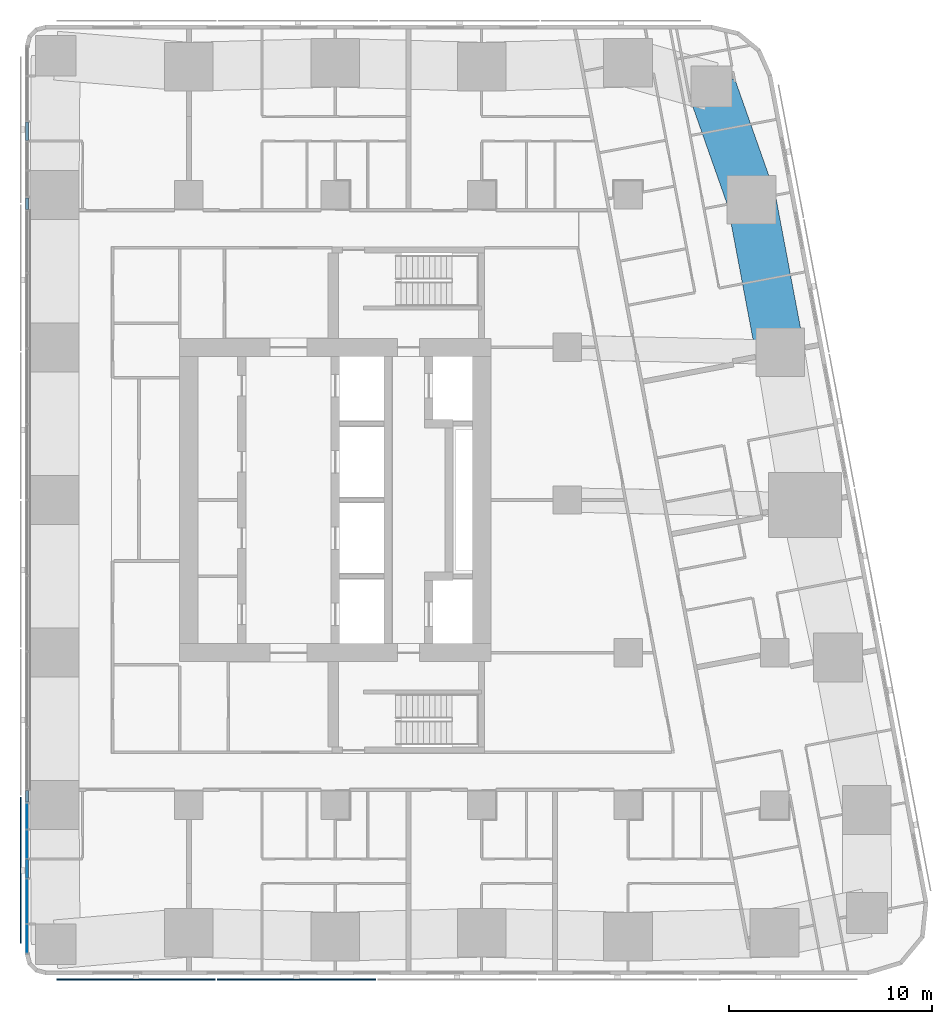
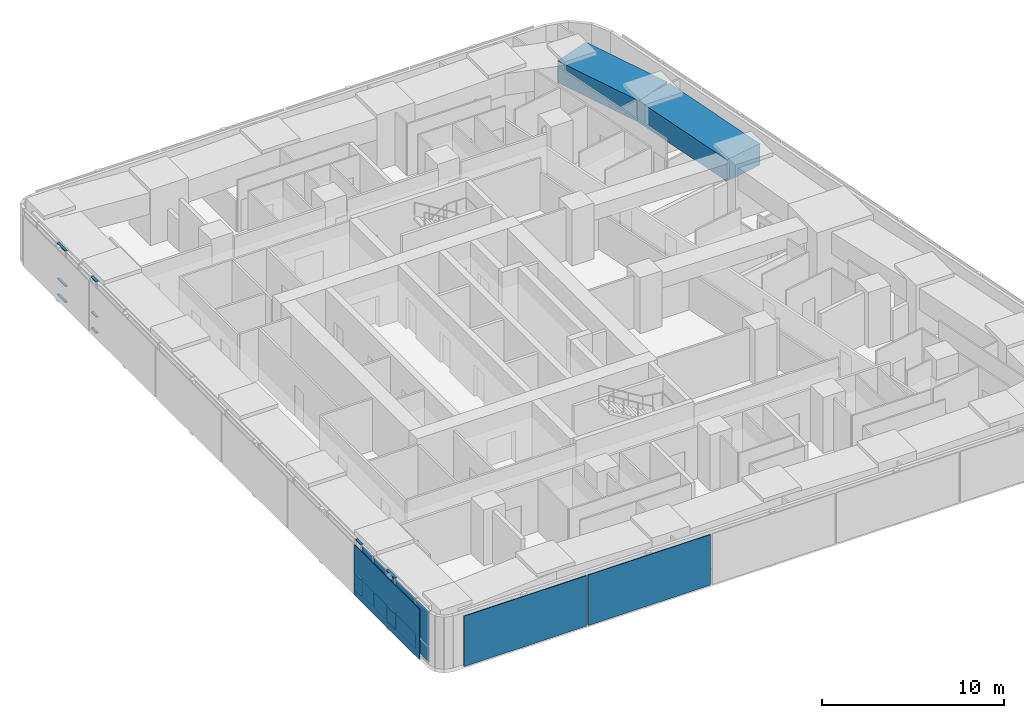
# One storey, part 6 of 19: 13 plates, 12 members, 2 beams, 1 element without a shape of its own.
"""IFC4 building model written with IfcOpenShell, lengths in metres."""

from ifc_helpers import new_model, si_unit, direction, frame, origin, origin_2d, place, context, subcontext, project, spatial, rectangle, extrude, material, layer, layer_set, material_profile, profile_set, type_object, element, aggregate, save


model = new_model("IFC4")

# Units and contexts
model_context = context("Model", 3, precision=1e-05, world=origin(), true_north=direction((0.0, 1.0)))
body_context = subcontext(model_context, "Body", "Model", "MODEL_VIEW")
ifc_project = project(units=[si_unit("LENGTHUNIT", "METRE"), si_unit("AREAUNIT", "SQUARE_METRE"), si_unit("VOLUMEUNIT", "CUBIC_METRE"), si_unit("PLANEANGLEUNIT", "RADIAN"), si_unit("MASSUNIT", "GRAM", prefix="KILO")], contexts=[model_context])

# Site, building, storey
site_placement = place(None, origin())
site = spatial("IfcSite", under=ifc_project, at=site_placement, CompositionType="ELEMENT")
building_placement = place(site_placement, origin())
building = spatial("IfcBuilding", under=site, at=building_placement, Name="Sheger Commons Tower", CompositionType="ELEMENT")
storey_placement = place(building_placement, frame((0.0, 0.0, 216.199951171875)))
storey = spatial("IfcBuildingStorey", under=building, at=storey_placement, Name="L55", CompositionType="ELEMENT", Elevation=216.199951171875)

# Beams
ifc_material_1 = material(Name="Concrete C50/60", Category="concrete")
ifc_material_profile_1 = material_profile(ifc_material_1, rectangle(XDim=2.39990234375, YDim=1.449951171875, at=origin_2d()), Name="RC 2400x1450")
ifc_profile_set_1 = profile_set([ifc_material_profile_1], Name="Concrete C50/60")
beam_type = type_object("IfcBeamType", Name="SPANDREL RC 2400x1450", PredefinedType="SPANDREL", material=ifc_profile_set_1)
beam_1_placement = place(storey_placement, frame((43.47998046875, 29.762939453125, 2.775146484375), z_axis=(-0.18552441405, 0.982639655108, 0.0), x_axis=(-0.982639655108, -0.18552441405, 0.0)))
element("IfcBeam", 1, at=beam_1_placement, inside=storey, type_object=beam_type, Name="Beam E/E-E/F under L56", PredefinedType="SPANDREL", context=body_context, shape_type="SweptSolid", body=[
    extrude(rectangle(XDim=2.39990234375, YDim=1.449951171875, at=origin_2d()), origin(), (0.0, 0.0, 1.0), 7.632568359375),
])
beam_2_placement = place(storey_placement, frame((42.06396484375, 37.262939453125, 2.775146484375), z_axis=(-0.332374403357, 0.943147526102, 0.0), x_axis=(-0.943147526102, -0.332374403357, 0.0)))
element("IfcBeam", 2, at=beam_2_placement, inside=storey, type_object=beam_type, Name="Beam E/F-41.490,44.505 under L56", PredefinedType="SPANDREL", context=body_context, shape_type="SweptSolid", body=[
    extrude(rectangle(XDim=2.39990234375, YDim=1.449951171875, at=origin_2d()), origin(), (0.0, 0.0, 1.0), 5.90283203125),
])

# Curtain wall, members, plates
ifc_material_2 = material(Name="Black aluminium curtain wall, dark tinted glazing", Category="aluminium")
curtain_wall_type = type_object("IfcCurtainWallType", Name="CURTAIN WALL CW4 GALLERY", PredefinedType="USERDEFINED", material=ifc_material_2)
curtain_wall_placement = place(storey_placement, origin())
curtain_wall = element("IfcCurtainWall", 3, at=curtain_wall_placement, inside=storey, type_object=curtain_wall_type, Name="Curtain Wall Cw4 Gallery W1 L55", ObjectType="UNITISED CURTAIN WALL", PredefinedType="USERDEFINED")
ifc_material_3 = material(Name="Black anodised aluminium", Category="aluminium")
ifc_material_profile_2 = material_profile(ifc_material_3, rectangle(XDim=0.14990234375, YDim=0.06494140625, at=origin_2d()), Name="AL 65x150")
ifc_profile_set_2 = profile_set([ifc_material_profile_2], Name="Black anodised aluminium")
member_type = type_object("IfcMemberType", Name="TRANSOM AL 65x150", PredefinedType="USERDEFINED", material=ifc_profile_set_2)
member_1_placement = place(storey_placement, frame((6.449951171875, 41.08154296875, 0.032470703125), z_axis=(0.0, -1.0, 0.0), x_axis=(1.0, 0.0, 0.0)))
member_1 = element("IfcMember", 4, at=member_1_placement, type_object=member_type, Name="CW4 transom 3.1", ObjectType="TRANSOM", PredefinedType="USERDEFINED", context=body_context, shape_type="SweptSolid", body=[
    extrude(rectangle(XDim=0.14990234375, YDim=0.06494140625, at=origin_2d()), origin(), (0.0, 0.0, 1.0), 0.89892578125),
])
member_2_placement = place(storey_placement, frame((6.449951171875, 41.08154296875, 1.10009765625), z_axis=(0.0, -1.0, 0.0), x_axis=(1.0, 0.0, 0.0)))
member_2 = element("IfcMember", 5, at=member_2_placement, type_object=member_type, Name="CW4 transom 3.2", ObjectType="TRANSOM", PredefinedType="USERDEFINED", context=body_context, shape_type="SweptSolid", body=[
    extrude(rectangle(XDim=0.14990234375, YDim=0.06494140625, at=origin_2d()), origin(), (0.0, 0.0, 1.0), 0.89892578125),
])
member_3_placement = place(storey_placement, frame((6.449951171875, 41.08154296875, 3.467529296875), z_axis=(0.0, -1.0, 0.0), x_axis=(1.0, 0.0, 0.0)))
member_3 = element("IfcMember", 6, at=member_3_placement, type_object=member_type, Name="CW4 transom 3.3", ObjectType="TRANSOM", PredefinedType="USERDEFINED", context=body_context, shape_type="SweptSolid", body=[
    extrude(rectangle(XDim=0.14990234375, YDim=0.06494140625, at=origin_2d()), origin(), (0.0, 0.0, 1.0), 0.89892578125),
])
member_4_placement = place(storey_placement, frame((6.449951171875, 37.3583984375, 0.032470703125), z_axis=(0.0, -1.0, 0.0), x_axis=(1.0, 0.0, 0.0)))
member_4 = element("IfcMember", 7, at=member_4_placement, type_object=member_type, Name="CW4 transom 6.1", ObjectType="TRANSOM", PredefinedType="USERDEFINED", context=body_context, shape_type="SweptSolid", body=[
    extrude(rectangle(XDim=0.14990234375, YDim=0.06494140625, at=origin_2d()), origin(), (0.0, 0.0, 1.0), 0.575927734375),
])
member_5_placement = place(storey_placement, frame((6.449951171875, 37.3583984375, 1.10009765625), z_axis=(0.0, -1.0, 0.0), x_axis=(1.0, 0.0, 0.0)))
member_5 = element("IfcMember", 8, at=member_5_placement, type_object=member_type, Name="CW4 transom 6.2", ObjectType="TRANSOM", PredefinedType="USERDEFINED", context=body_context, shape_type="SweptSolid", body=[
    extrude(rectangle(XDim=0.14990234375, YDim=0.06494140625, at=origin_2d()), origin(), (0.0, 0.0, 1.0), 0.575927734375),
])
member_6_placement = place(storey_placement, frame((6.449951171875, 37.3583984375, 3.467529296875), z_axis=(0.0, -1.0, 0.0), x_axis=(1.0, 0.0, 0.0)))
member_6 = element("IfcMember", 9, at=member_6_placement, type_object=member_type, Name="CW4 transom 6.3", ObjectType="TRANSOM", PredefinedType="USERDEFINED", context=body_context, shape_type="SweptSolid", body=[
    extrude(rectangle(XDim=0.14990234375, YDim=0.06494140625, at=origin_2d()), origin(), (0.0, 0.0, 1.0), 0.575927734375),
])
member_7_placement = place(storey_placement, frame((6.449951171875, 8.217529296875, 0.032470703125), z_axis=(0.0, -1.0, 0.0), x_axis=(1.0, 0.0, 0.0)))
member_7 = element("IfcMember", 10, at=member_7_placement, type_object=member_type, Name="CW4 transom 15.1", ObjectType="TRANSOM", PredefinedType="USERDEFINED", context=body_context, shape_type="SweptSolid", body=[
    extrude(rectangle(XDim=0.14990234375, YDim=0.06494140625, at=origin_2d()), origin(), (0.0, 0.0, 1.0), 0.575927734375),
])
member_8_placement = place(storey_placement, frame((6.449951171875, 8.217529296875, 1.10009765625), z_axis=(0.0, -1.0, 0.0), x_axis=(1.0, 0.0, 0.0)))
member_8 = element("IfcMember", 11, at=member_8_placement, type_object=member_type, Name="CW4 transom 15.2", ObjectType="TRANSOM", PredefinedType="USERDEFINED", context=body_context, shape_type="SweptSolid", body=[
    extrude(rectangle(XDim=0.14990234375, YDim=0.06494140625, at=origin_2d()), origin(), (0.0, 0.0, 1.0), 0.575927734375),
])
member_9_placement = place(storey_placement, frame((6.449951171875, 8.217529296875, 3.467529296875), z_axis=(0.0, -1.0, 0.0), x_axis=(1.0, 0.0, 0.0)))
member_9 = element("IfcMember", 12, at=member_9_placement, type_object=member_type, Name="CW4 transom 15.3", ObjectType="TRANSOM", PredefinedType="USERDEFINED", context=body_context, shape_type="SweptSolid", body=[
    extrude(rectangle(XDim=0.14990234375, YDim=0.06494140625, at=origin_2d()), origin(), (0.0, 0.0, 1.0), 0.575927734375),
])
member_10_placement = place(storey_placement, frame((6.449951171875, 4.8173828125, 0.032470703125), z_axis=(0.0, -1.0, 0.0), x_axis=(1.0, 0.0, 0.0)))
member_10 = element("IfcMember", 13, at=member_10_placement, type_object=member_type, Name="CW4 transom 18.1", ObjectType="TRANSOM", PredefinedType="USERDEFINED", context=body_context, shape_type="SweptSolid", body=[
    extrude(rectangle(XDim=0.14990234375, YDim=0.06494140625, at=origin_2d()), origin(), (0.0, 0.0, 1.0), 0.89892578125),
])
member_11_placement = place(storey_placement, frame((6.449951171875, 4.8173828125, 1.10009765625), z_axis=(0.0, -1.0, 0.0), x_axis=(1.0, 0.0, 0.0)))
member_11 = element("IfcMember", 14, at=member_11_placement, type_object=member_type, Name="CW4 transom 18.2", ObjectType="TRANSOM", PredefinedType="USERDEFINED", context=body_context, shape_type="SweptSolid", body=[
    extrude(rectangle(XDim=0.14990234375, YDim=0.06494140625, at=origin_2d()), origin(), (0.0, 0.0, 1.0), 0.89892578125),
])
member_12_placement = place(storey_placement, frame((6.449951171875, 4.8173828125, 3.467529296875), z_axis=(0.0, -1.0, 0.0), x_axis=(1.0, 0.0, 0.0)))
member_12 = element("IfcMember", 15, at=member_12_placement, type_object=member_type, Name="CW4 transom 18.3", ObjectType="TRANSOM", PredefinedType="USERDEFINED", context=body_context, shape_type="SweptSolid", body=[
    extrude(rectangle(XDim=0.14990234375, YDim=0.06494140625, at=origin_2d()), origin(), (0.0, 0.0, 1.0), 0.89892578125),
])
ifc_material_4 = material(Name="Dark tinted double glazing", Category="glass")
ifc_layer_1 = layer(ifc_material_4, 0.031982421875)
ifc_layer_set_1 = layer_set([ifc_layer_1], Name="GLAZED PANEL 32")
plate_type_1 = type_object("IfcPlateType", Name="GLAZED PANEL 32", PredefinedType="CURTAIN_PANEL", material=ifc_layer_set_1)
plate_1_placement = place(storey_placement, frame((6.449951171875, 6.95458984375, 0.065185546875), z_axis=(0.0, 0.0, 1.0), x_axis=(0.0, -1.0, 0.0)))
plate_1 = element("IfcPlate", 16, at=plate_1_placement, type_object=plate_type_1, Name="CW4 panel 16.1", PredefinedType="CURTAIN_PANEL", context=body_context, shape_type="SweptSolid", body=[
    extrude(rectangle(XDim=1.243896484375, YDim=0.031982421875, at=origin_2d()), origin(), (0.0, 0.0, 1.0), 1.00244140625),
])
plate_2_placement = place(storey_placement, frame((6.449951171875, 6.95458984375, 1.13232421875), z_axis=(0.0, 0.0, 1.0), x_axis=(0.0, -1.0, 0.0)))
plate_2 = element("IfcPlate", 17, at=plate_2_placement, type_object=plate_type_1, Name="CW4 panel 16.2", PredefinedType="CURTAIN_PANEL", context=body_context, shape_type="SweptSolid", body=[
    extrude(rectangle(XDim=1.243896484375, YDim=0.031982421875, at=origin_2d()), origin(), (0.0, 0.0, 1.0), 2.302490234375),
])
plate_3_placement = place(storey_placement, frame((6.449951171875, 5.574951171875, 0.065185546875), z_axis=(0.0, 0.0, 1.0), x_axis=(0.0, -1.0, 0.0)))
plate_3 = element("IfcPlate", 18, at=plate_3_placement, type_object=plate_type_1, Name="CW4 panel 17.1", PredefinedType="CURTAIN_PANEL", context=body_context, shape_type="SweptSolid", body=[
    extrude(rectangle(XDim=1.385009765625, YDim=0.031982421875, at=origin_2d()), origin(), (0.0, 0.0, 1.0), 1.00244140625),
])
plate_4_placement = place(storey_placement, frame((6.449951171875, 5.574951171875, 1.13232421875), z_axis=(0.0, 0.0, 1.0), x_axis=(0.0, -1.0, 0.0)))
plate_4 = element("IfcPlate", 19, at=plate_4_placement, type_object=plate_type_1, Name="CW4 panel 17.2", PredefinedType="CURTAIN_PANEL", context=body_context, shape_type="SweptSolid", body=[
    extrude(rectangle(XDim=1.385009765625, YDim=0.031982421875, at=origin_2d()), origin(), (0.0, 0.0, 1.0), 2.302490234375),
])
plate_5_placement = place(storey_placement, frame((6.449951171875, 4.367919921875, 0.065185546875), z_axis=(0.0, 0.0, 1.0), x_axis=(0.0, -1.0, 0.0)))
plate_5 = element("IfcPlate", 20, at=plate_5_placement, type_object=plate_type_1, Name="CW4 panel 18.1", PredefinedType="CURTAIN_PANEL", context=body_context, shape_type="SweptSolid", body=[
    extrude(rectangle(XDim=0.89892578125, YDim=0.031982421875, at=origin_2d()), origin(), (0.0, 0.0, 1.0), 1.00244140625),
])
plate_6_placement = place(storey_placement, frame((6.449951171875, 4.367919921875, 1.13232421875), z_axis=(0.0, 0.0, 1.0), x_axis=(0.0, -1.0, 0.0)))
plate_6 = element("IfcPlate", 21, at=plate_6_placement, type_object=plate_type_1, Name="CW4 panel 18.2", PredefinedType="CURTAIN_PANEL", context=body_context, shape_type="SweptSolid", body=[
    extrude(rectangle(XDim=0.89892578125, YDim=0.031982421875, at=origin_2d()), origin(), (0.0, 0.0, 1.0), 2.302490234375),
])
plate_7_placement = place(storey_placement, frame((6.449951171875, 2.77001953125, 0.065185546875), z_axis=(0.0, 0.0, 1.0), x_axis=(0.0, -1.0, 0.0)))
plate_7 = element("IfcPlate", 22, at=plate_7_placement, type_object=plate_type_1, Name="CW4 panel 19.1", PredefinedType="CURTAIN_PANEL", context=body_context, shape_type="SweptSolid", body=[
    extrude(rectangle(XDim=2.1669921875, YDim=0.031982421875, at=origin_2d()), origin(), (0.0, 0.0, 1.0), 1.00244140625),
])
plate_8_placement = place(storey_placement, frame((6.449951171875, 2.77001953125, 1.13232421875), z_axis=(0.0, 0.0, 1.0), x_axis=(0.0, -1.0, 0.0)))
plate_8 = element("IfcPlate", 23, at=plate_8_placement, type_object=plate_type_1, Name="CW4 panel 19.2", PredefinedType="CURTAIN_PANEL", context=body_context, shape_type="SweptSolid", body=[
    extrude(rectangle(XDim=2.1669921875, YDim=0.031982421875, at=origin_2d()), origin(), (0.0, 0.0, 1.0), 2.302490234375),
])
plate_9_placement = place(storey_placement, frame((6.449951171875, 0.9248046875, 0.065185546875), z_axis=(0.0, 0.0, 1.0), x_axis=(0.0, -1.0, 0.0)))
plate_9 = element("IfcPlate", 24, at=plate_9_placement, type_object=plate_type_1, Name="CW4 panel 20.1", PredefinedType="CURTAIN_PANEL", context=body_context, shape_type="SweptSolid", body=[
    extrude(rectangle(XDim=1.3935546875, YDim=0.031982421875, at=origin_2d()), origin(), (0.0, 0.0, 1.0), 1.00244140625),
])
plate_10_placement = place(storey_placement, frame((6.449951171875, 0.9248046875, 1.13232421875), z_axis=(0.0, 0.0, 1.0), x_axis=(0.0, -1.0, 0.0)))
plate_10 = element("IfcPlate", 25, at=plate_10_placement, type_object=plate_type_1, Name="CW4 panel 20.2", PredefinedType="CURTAIN_PANEL", context=body_context, shape_type="SweptSolid", body=[
    extrude(rectangle(XDim=1.3935546875, YDim=0.031982421875, at=origin_2d()), origin(), (0.0, 0.0, 1.0), 2.302490234375),
])
aggregate(curtain_wall, [member_1, member_2, member_3, member_4, member_5, member_6, member_7, member_8, member_9, plate_1, plate_2, plate_3, plate_4, member_10, member_11, member_12, plate_5, plate_6, plate_7, plate_8, plate_9, plate_10])

# Plates
ifc_material_5 = material(Name="Perforated black anodised aluminium screen", Category="aluminium")
ifc_layer_2 = layer(ifc_material_5, 0.050048828125)
ifc_layer_set_2 = layer_set([ifc_layer_2], Name="SOLAR SCREEN SCREEN-1")
plate_type_2 = type_object("IfcPlateType", Name="SOLAR SCREEN SCREEN-1", PredefinedType="USERDEFINED", material=ifc_layer_set_2)
for number, where, z_axis, x_axis, name in (
    (26, (11.7958984375, -1.074951171875, 0.050048828125), (0.0, 0.0, 1.0), (1.0, 0.0, 0.0), "Perforated solar screen panel"),
    (27, (19.68701171875, -1.074951171875, 0.050048828125), (0.0, 0.0, 1.0), (1.0, 0.0, 0.0), "Perforated solar screen panel"),
):
    element("IfcPlate", number, at=place(storey_placement, frame(where, z_axis=z_axis, x_axis=x_axis)), inside=storey, type_object=plate_type_2, Name=name, ObjectType="SCREEN", PredefinedType="USERDEFINED", context=body_context, shape_type="SweptSolid", body=[
        extrude(rectangle(XDim=7.791015625, YDim=0.050048828125, at=origin_2d()), origin(), (0.0, 0.0, 1.0), 3.39990234375),
    ])
plate_11_placement = place(storey_placement, frame((6.125, 4.2919921875, 0.050048828125), z_axis=(0.0, 0.0, 1.0), x_axis=(0.0, -1.0, 0.0)))
element("IfcPlate", 28, at=plate_11_placement, inside=storey, type_object=plate_type_2, Name="Perforated solar screen panel", ObjectType="SCREEN", PredefinedType="USERDEFINED", context=body_context, shape_type="SweptSolid", body=[
    extrude(rectangle(XDim=7.18310546875, YDim=0.050048828125, at=origin_2d()), origin(), (0.0, 0.0, 1.0), 3.39990234375),
])

save(model, "model.ifc")
